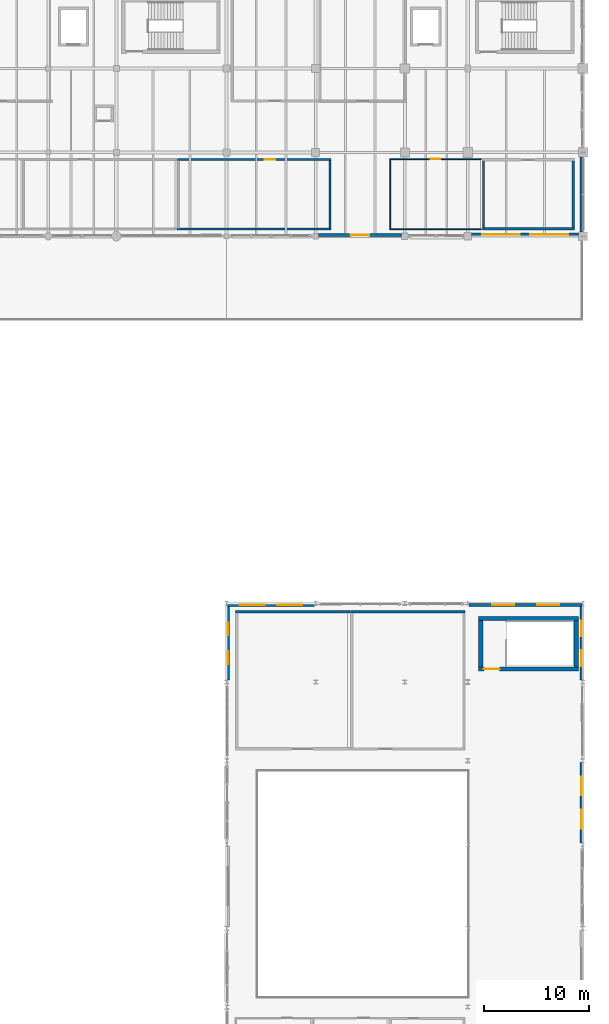
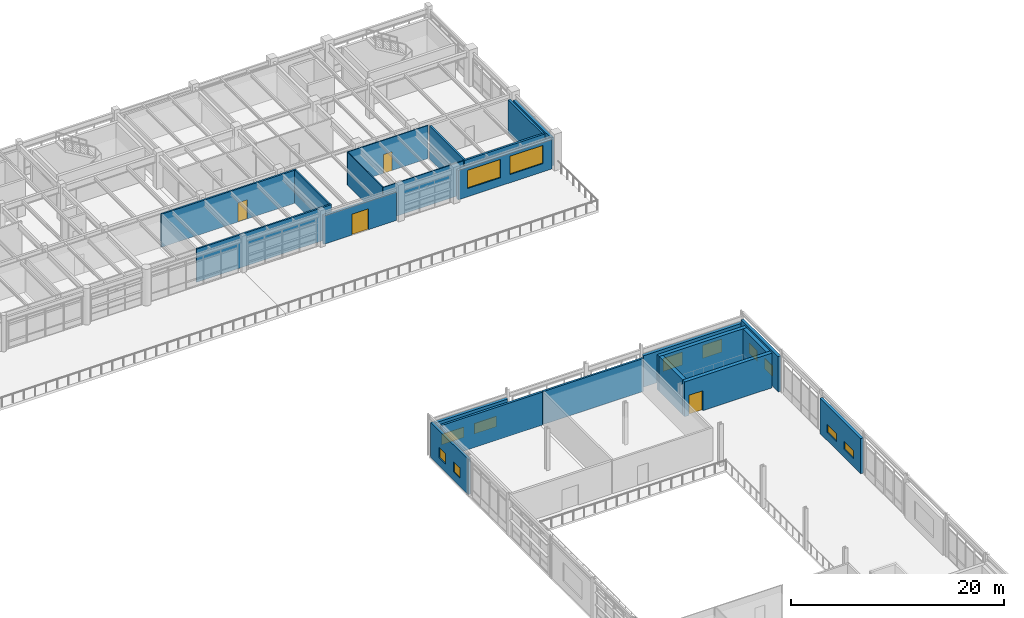
# One storey, part 50 of 56: 23 walls, 12 windows, 4 doors, 16 openings.
"""IFC4 building model written with IfcOpenShell, lengths in metres."""

from ifc_helpers import new_model, si_unit, direction, frame, frame_2d, origin, place, context, subcontext, project, spatial, rectangle, extrude, material, layer, layer_set, type_object, element, fill, save


model = new_model("IFC4")

# Units and contexts
model_context = context("Model", 3, precision=1e-05, world=origin(), true_north=direction((0.0, 1.0)))
body_context = subcontext(model_context, "Body", "Model", "MODEL_VIEW")
ifc_project = project(units=[si_unit("LENGTHUNIT", "METRE"), si_unit("AREAUNIT", "SQUARE_METRE"), si_unit("VOLUMEUNIT", "CUBIC_METRE"), si_unit("PLANEANGLEUNIT", "RADIAN"), si_unit("MASSUNIT", "GRAM", prefix="KILO"), si_unit("THERMODYNAMICTEMPERATUREUNIT", "KELVIN"), si_unit("POWERUNIT", "WATT")], contexts=[model_context])

# Site, building, storey
site_placement = place(None, origin())
site = spatial("IfcSite", under=ifc_project, at=site_placement, CompositionType="ELEMENT")
building_placement = place(site_placement, origin())
building = spatial("IfcBuilding", under=site, at=building_placement, Name="Tepalcoro Natatorium and Aquatics Centre", CompositionType="ELEMENT")
storey_placement = place(building_placement, frame((0.0, 0.0, 14.800048828125)))
storey = spatial("IfcBuildingStorey", under=building, at=storey_placement, Name="L03", CompositionType="ELEMENT", Elevation=14.800048828125)

# Wall, opening, door
ifc_material_1 = material(Name="Precast Concrete C45/55 (fc 45 MPa)", Category="concrete")
ifc_layer_1 = layer(ifc_material_1, 0.260009765625)
ifc_layer_set_1 = layer_set([ifc_layer_1], Name="Precast Concrete C45/55 (fc 45 MPa)")
wall_type_1 = type_object("IfcWallType", Name="WL_EXT_GABLE_260", PredefinedType="SOLIDWALL", material=ifc_layer_set_1)
wall_1_placement = place(storey_placement, frame((150.779052734375, 94.1298828125, 0.0), z_axis=(0.0, 0.0, 1.0), x_axis=(1.0, 0.0, 0.0)))
wall_1 = element("IfcWall", 1, at=wall_1_placement, inside=storey, type_object=wall_type_1, Name="V5 L03 S Volcanic Basalt Envelope Wall", PredefinedType="SOLIDWALL", context=body_context, shape_type="SweptSolid", body=[
    extrude(rectangle(XDim=7.891845703125, YDim=0.260009765625, at=frame_2d((3.94580078125, 0.0))), origin(), (0.0, 0.0, 1.0), 3.25390625),
])
opening_1_placement = place(wall_1_placement, frame((3.0458984375, 0.0, 0.0)))
opening_1 = element("IfcOpeningElement", 2, at=opening_1_placement, cuts=wall_1, Name="Opening ED5047", PredefinedType="OPENING", context=body_context, shape_type="SweptSolid", body=[
    extrude(rectangle(XDim=1.800048828125, YDim=2.39990234375, at=frame_2d((0.89990234375, 1.199951171875))), frame((0.0, 0.14208984375, 0.0), z_axis=(0.0, -1.0, 0.0), x_axis=(1.0, 0.0, 0.0)), (0.0, 0.0, 1.0), 0.283935546875),
])
ifc_material_2 = material(Name="Bronze-Anodised Extruded Aluminium Alloy EN AW-6063 T6", Category="aluminium")
door_type_1 = type_object("IfcDoorType", Name="DR_180x240_TERR", OperationType="NOTDEFINED", PredefinedType="DOOR", material=ifc_material_2)
door_1_placement = place(opening_1_placement, frame((1.800048828125, 0.0, 0.0), z_axis=(0.0, 0.0, 1.0), x_axis=(-1.0, 0.0, 0.0)))
door_1 = element("IfcDoor", 3, at=door_1_placement, inside=storey, type_object=door_type_1, Name="V5 L03 Spa Terrace Door SE", OperationType="DOUBLE_DOOR_SINGLE_SWING", OverallHeight=2.39990234375, OverallWidth=1.800048828125, PredefinedType="DOOR", context=body_context, shape_type="SweptSolid", body=[
    extrude(rectangle(XDim=1.800048828125, YDim=2.39990234375, at=frame_2d((0.89990234375, 1.199951171875))), frame((0.0, 0.02490234375, 0.0), z_axis=(0.0, -1.0, 0.0), x_axis=(1.0, 0.0, 0.0)), (0.0, 0.0, 1.0), 0.050048828125),
])
fill(opening_1, door_1)

# Wall, openings, windows
ifc_layer_2 = layer(ifc_material_1, 0.284912109375)
ifc_layer_set_2 = layer_set([ifc_layer_2], Name="Precast Concrete C45/55 (fc 45 MPa)")
wall_type_2 = type_object("IfcWallType", Name="WL_EXT_INSUL_280", PredefinedType="SOLIDWALL", material=ifc_layer_set_2)
wall_2_placement = place(storey_placement, frame((142.142578125, 51.66796875, 0.0), z_axis=(0.0, 0.0, 1.0), x_axis=(0.0, 1.0, 0.0)))
wall_2 = element("IfcWall", 4, at=wall_2_placement, inside=storey, type_object=wall_type_2, Name="V2 L03 W Volcanic Basalt Envelope Wall", PredefinedType="SOLIDWALL", context=body_context, shape_type="SweptSolid", body=[
    extrude(rectangle(XDim=7.02294921875, YDim=0.284912109375, at=frame_2d((3.511474609375, 0.0))), origin(), (0.0, 0.0, 1.0), 4.050048828125),
])
opening_2_placement = place(wall_2_placement, frame((1.541015625, 0.0, 0.949951171875)))
opening_2 = element("IfcOpeningElement", 5, at=opening_2_placement, cuts=wall_2, Name="Opening W0049A", PredefinedType="OPENING", context=body_context, shape_type="SweptSolid", body=[
    extrude(rectangle(XDim=1.199951171875, YDim=1.199951171875, at=frame_2d((0.60009765625, 0.60009765625))), frame((0.0, 0.154296875, 0.0), z_axis=(0.0, -1.0, 0.0), x_axis=(1.0, 0.0, 0.0)), (0.0, 0.0, 1.0), 0.308837890625),
])
opening_3_placement = place(wall_2_placement, frame((4.281982421875, 0.0, 0.949951171875)))
opening_3 = element("IfcOpeningElement", 6, at=opening_3_placement, cuts=wall_2, Name="Opening W0049B", PredefinedType="OPENING", context=body_context, shape_type="SweptSolid", body=[
    extrude(rectangle(XDim=1.199951171875, YDim=1.199951171875, at=frame_2d((0.60009765625, 0.60009765625))), frame((0.0, 0.154296875, 0.0), z_axis=(0.0, -1.0, 0.0), x_axis=(1.0, 0.0, 0.0)), (0.0, 0.0, 1.0), 0.308837890625),
])
ifc_material_3 = material(Name="Solar-Control Bronze Tempered Low-E Double Glazing", Category="glass")
window_type_1 = type_object("IfcWindowType", Name="WN_120x120", PartitioningType="SINGLE_PANEL", PredefinedType="WINDOW", material=ifc_material_3)
window_1_placement = place(opening_2_placement, origin())
window_1 = element("IfcWindow", 7, at=window_1_placement, inside=storey, type_object=window_type_1, Name="Exterior Thermal Window WN_120x120", OverallHeight=1.199951171875, OverallWidth=1.199951171875, PartitioningType="SINGLE_PANEL", PredefinedType="WINDOW", context=body_context, shape_type="SweptSolid", body=[
    extrude(rectangle(XDim=1.199951171875, YDim=1.199951171875, at=frame_2d((0.60009765625, 0.60009765625))), frame((0.0, 0.030029296875, 0.0), z_axis=(0.0, -1.0, 0.0), x_axis=(1.0, 0.0, 0.0)), (0.0, 0.0, 1.0), 0.06005859375),
])
fill(opening_2, window_1)
window_2_placement = place(opening_3_placement, origin())
window_2 = element("IfcWindow", 8, at=window_2_placement, inside=storey, type_object=window_type_1, Name="Exterior Thermal Window WN_120x120", OverallHeight=1.199951171875, OverallWidth=1.199951171875, PartitioningType="SINGLE_PANEL", PredefinedType="WINDOW", context=body_context, shape_type="SweptSolid", body=[
    extrude(rectangle(XDim=1.199951171875, YDim=1.199951171875, at=frame_2d((0.60009765625, 0.60009765625))), frame((0.0, 0.030029296875, 0.0), z_axis=(0.0, -1.0, 0.0), x_axis=(1.0, 0.0, 0.0)), (0.0, 0.0, 1.0), 0.06005859375),
])
fill(opening_3, window_2)

ifc_material_4 = material(Name="Jalisco Cantera Rosa Volcanic Tuff Ashlar Masonry", Category="masonry")
ifc_layer_3 = layer(ifc_material_4, 0.320068359375)
ifc_layer_set_3 = layer_set([ifc_layer_3], Name="Jalisco Cantera Rosa Volcanic Tuff Ashlar Masonry")
wall_type_3 = type_object("IfcWallType", Name="WL_EXT_STONE_320", PredefinedType="SOLIDWALL", material=ifc_layer_set_3)
wall_3_placement = place(storey_placement, frame((165.131103515625, 58.840087890625, 0.0), z_axis=(0.0, 0.0, 1.0), x_axis=(1.0, 0.0, 0.0)))
wall_3 = element("IfcWall", 9, at=wall_3_placement, inside=storey, type_object=wall_type_3, Name="V2 L03 N Volcanic Basalt Envelope Wall", PredefinedType="SOLIDWALL", context=body_context, shape_type="SweptSolid", body=[
    extrude(rectangle(XDim=10.762451171875, YDim=0.320068359375, at=frame_2d((5.38134765625, 0.0))), origin(), (0.0, 0.0, 1.0), 3.60791015625),
])
opening_4_placement = place(wall_3_placement, frame((2.1875, 0.0, 0.949951171875)))
opening_4 = element("IfcOpeningElement", 10, at=opening_4_placement, cuts=wall_3, Name="Opening W0046A", PredefinedType="OPENING", context=body_context, shape_type="SweptSolid", body=[
    extrude(rectangle(XDim=2.10009765625, YDim=1.5, at=frame_2d((1.050048828125, 0.75))), frame((0.0, 0.171875, 0.0), z_axis=(0.0, -1.0, 0.0), x_axis=(1.0, 0.0, 0.0)), (0.0, 0.0, 1.0), 0.343994140625),
])
opening_5_placement = place(wall_3_placement, frame((6.47509765625, 0.0, 0.949951171875)))
opening_5 = element("IfcOpeningElement", 11, at=opening_5_placement, cuts=wall_3, Name="Opening W0046B", PredefinedType="OPENING", context=body_context, shape_type="SweptSolid", body=[
    extrude(rectangle(XDim=2.10009765625, YDim=1.5, at=frame_2d((1.050048828125, 0.75))), frame((0.0, 0.171875, 0.0), z_axis=(0.0, -1.0, 0.0), x_axis=(1.0, 0.0, 0.0)), (0.0, 0.0, 1.0), 0.343994140625),
])
window_type_2 = type_object("IfcWindowType", Name="WN_210x150", PartitioningType="SINGLE_PANEL", PredefinedType="WINDOW", material=ifc_material_3)
window_3_placement = place(opening_4_placement, origin())
window_3 = element("IfcWindow", 12, at=window_3_placement, inside=storey, type_object=window_type_2, Name="Exterior Thermal Window WN_210x150", OverallHeight=1.5, OverallWidth=2.10009765625, PartitioningType="SINGLE_PANEL", PredefinedType="WINDOW", context=body_context, shape_type="SweptSolid", body=[
    extrude(rectangle(XDim=2.10009765625, YDim=1.5, at=frame_2d((1.050048828125, 0.75))), frame((0.0, 0.030029296875, 0.0), z_axis=(0.0, -1.0, 0.0), x_axis=(1.0, 0.0, 0.0)), (0.0, 0.0, 1.0), 0.06005859375),
])
fill(opening_4, window_3)
window_4_placement = place(opening_5_placement, origin())
window_4 = element("IfcWindow", 13, at=window_4_placement, inside=storey, type_object=window_type_2, Name="Exterior Thermal Window WN_210x150", OverallHeight=1.5, OverallWidth=2.10009765625, PartitioningType="SINGLE_PANEL", PredefinedType="WINDOW", context=body_context, shape_type="SweptSolid", body=[
    extrude(rectangle(XDim=2.10009765625, YDim=1.5, at=frame_2d((1.050048828125, 0.75))), frame((0.0, 0.030029296875, 0.0), z_axis=(0.0, -1.0, 0.0), x_axis=(1.0, 0.0, 0.0)), (0.0, 0.0, 1.0), 0.06005859375),
])
fill(opening_5, window_4)

ifc_layer_4 = layer(ifc_material_4, 0.304931640625)
ifc_layer_set_4 = layer_set([ifc_layer_4], Name="Jalisco Cantera Rosa Volcanic Tuff Ashlar Masonry")
wall_type_4 = type_object("IfcWallType", Name="WL_EXT_TERRACOTTA_300", PredefinedType="SOLIDWALL", material=ifc_layer_set_4)
wall_4_placement = place(storey_placement, frame((142.1064453125, 58.847412109375, 0.0), z_axis=(0.0, 0.0, 1.0), x_axis=(1.0, 0.0, 0.0)))
wall_4 = element("IfcWall", 14, at=wall_4_placement, inside=storey, type_object=wall_type_4, Name="V2 L03 N Volcanic Basalt Envelope Wall", PredefinedType="SOLIDWALL", context=body_context, shape_type="SweptSolid", body=[
    extrude(rectangle(XDim=8.262451171875, YDim=0.304931640625, at=frame_2d((4.13134765625, 0.0))), origin(), (0.0, 0.0, 1.0), 3.806884765625),
])
opening_6_placement = place(wall_4_placement, frame((1.154296875, 0.0, 0.949951171875)))
opening_6 = element("IfcOpeningElement", 15, at=opening_6_placement, cuts=wall_4, Name="Opening W0045A", PredefinedType="OPENING", context=body_context, shape_type="SweptSolid", body=[
    extrude(rectangle(XDim=2.39990234375, YDim=1.199951171875, at=frame_2d((1.199951171875, 0.60009765625))), frame((0.0, 0.16455078125, 0.0), z_axis=(0.0, -1.0, 0.0), x_axis=(1.0, 0.0, 0.0)), (0.0, 0.0, 1.0), 0.328857421875),
])
opening_7_placement = place(wall_4_placement, frame((4.708251953125, 0.0, 0.949951171875)))
opening_7 = element("IfcOpeningElement", 16, at=opening_7_placement, cuts=wall_4, Name="Opening W0045B", PredefinedType="OPENING", context=body_context, shape_type="SweptSolid", body=[
    extrude(rectangle(XDim=2.39990234375, YDim=1.199951171875, at=frame_2d((1.199951171875, 0.60009765625))), frame((0.0, 0.16455078125, 0.0), z_axis=(0.0, -1.0, 0.0), x_axis=(1.0, 0.0, 0.0)), (0.0, 0.0, 1.0), 0.328857421875),
])
window_type_3 = type_object("IfcWindowType", Name="WN_240x120", PartitioningType="SINGLE_PANEL", PredefinedType="WINDOW", material=ifc_material_3)
window_5_placement = place(opening_6_placement, origin())
window_5 = element("IfcWindow", 17, at=window_5_placement, inside=storey, type_object=window_type_3, Name="Exterior Thermal Window WN_240x120", OverallHeight=1.199951171875, OverallWidth=2.39990234375, PartitioningType="SINGLE_PANEL", PredefinedType="WINDOW", context=body_context, shape_type="SweptSolid", body=[
    extrude(rectangle(XDim=2.39990234375, YDim=1.199951171875, at=frame_2d((1.199951171875, 0.60009765625))), frame((0.0, 0.030029296875, 0.0), z_axis=(0.0, -1.0, 0.0), x_axis=(1.0, 0.0, 0.0)), (0.0, 0.0, 1.0), 0.06005859375),
])
fill(opening_6, window_5)
window_6_placement = place(opening_7_placement, origin())
window_6 = element("IfcWindow", 18, at=window_6_placement, inside=storey, type_object=window_type_3, Name="Exterior Thermal Window WN_240x120", OverallHeight=1.199951171875, OverallWidth=2.39990234375, PartitioningType="SINGLE_PANEL", PredefinedType="WINDOW", context=body_context, shape_type="SweptSolid", body=[
    extrude(rectangle(XDim=2.39990234375, YDim=1.199951171875, at=frame_2d((1.199951171875, 0.60009765625))), frame((0.0, 0.030029296875, 0.0), z_axis=(0.0, -1.0, 0.0), x_axis=(1.0, 0.0, 0.0)), (0.0, 0.0, 1.0), 0.06005859375),
])
fill(opening_7, window_6)

wall_5_placement = place(storey_placement, frame((175.847412109375, 36.157470703125, 0.0), z_axis=(0.0, 0.0, 1.0), x_axis=(0.0, 1.0, 0.0)))
wall_5 = element("IfcWall", 19, at=wall_5_placement, inside=storey, type_object=wall_type_4, Name="V2 L03 E Volcanic Basalt Envelope Wall", PredefinedType="SOLIDWALL", context=body_context, shape_type="SweptSolid", body=[
    extrude(rectangle(XDim=7.680908203125, YDim=0.304931640625, at=frame_2d((3.84033203125, 0.0))), origin(), (0.0, 0.0, 1.0), 4.050048828125),
])
opening_8_placement = place(wall_5_placement, frame((1.3603515625, 0.0, 0.949951171875)))
opening_8 = element("IfcOpeningElement", 20, at=opening_8_placement, cuts=wall_5, Name="Opening W0052A", PredefinedType="OPENING", context=body_context, shape_type="SweptSolid", body=[
    extrude(rectangle(XDim=1.800048828125, YDim=0.89990234375, at=frame_2d((0.89990234375, 0.449951171875))), frame((0.0, 0.16455078125, 0.0), z_axis=(0.0, -1.0, 0.0), x_axis=(1.0, 0.0, 0.0)), (0.0, 0.0, 1.0), 0.328857421875),
])
opening_9_placement = place(wall_5_placement, frame((4.520751953125, 0.0, 0.949951171875)))
opening_9 = element("IfcOpeningElement", 21, at=opening_9_placement, cuts=wall_5, Name="Opening W0052B", PredefinedType="OPENING", context=body_context, shape_type="SweptSolid", body=[
    extrude(rectangle(XDim=1.800048828125, YDim=0.89990234375, at=frame_2d((0.89990234375, 0.449951171875))), frame((0.0, 0.16455078125, 0.0), z_axis=(0.0, -1.0, 0.0), x_axis=(1.0, 0.0, 0.0)), (0.0, 0.0, 1.0), 0.328857421875),
])
window_type_4 = type_object("IfcWindowType", Name="WN_180x090_CLER", PartitioningType="SINGLE_PANEL", PredefinedType="WINDOW", material=ifc_material_3)
window_7_placement = place(opening_8_placement, origin())
window_7 = element("IfcWindow", 22, at=window_7_placement, inside=storey, type_object=window_type_4, Name="Exterior Thermal Window WN_180x090_CLER", OverallHeight=0.89990234375, OverallWidth=1.800048828125, PartitioningType="SINGLE_PANEL", PredefinedType="WINDOW", context=body_context, shape_type="SweptSolid", body=[
    extrude(rectangle(XDim=1.800048828125, YDim=0.89990234375, at=frame_2d((0.89990234375, 0.449951171875))), frame((0.0, 0.030029296875, 0.0), z_axis=(0.0, -1.0, 0.0), x_axis=(1.0, 0.0, 0.0)), (0.0, 0.0, 1.0), 0.06005859375),
])
fill(opening_8, window_7)
window_8_placement = place(opening_9_placement, origin())
window_8 = element("IfcWindow", 23, at=window_8_placement, inside=storey, type_object=window_type_4, Name="Exterior Thermal Window WN_180x090_CLER", OverallHeight=0.89990234375, OverallWidth=1.800048828125, PartitioningType="SINGLE_PANEL", PredefinedType="WINDOW", context=body_context, shape_type="SweptSolid", body=[
    extrude(rectangle(XDim=1.800048828125, YDim=0.89990234375, at=frame_2d((0.89990234375, 0.449951171875))), frame((0.0, 0.030029296875, 0.0), z_axis=(0.0, -1.0, 0.0), x_axis=(1.0, 0.0, 0.0)), (0.0, 0.0, 1.0), 0.06005859375),
])
fill(opening_9, window_8)

wall_6_placement = place(storey_placement, frame((175.847412109375, 51.66796875, 0.0), z_axis=(0.0, 0.0, 1.0), x_axis=(0.0, 1.0, 0.0)))
wall_6 = element("IfcWall", 24, at=wall_6_placement, inside=storey, type_object=wall_type_4, Name="V2 L03 E Volcanic Basalt Envelope Wall", PredefinedType="SOLIDWALL", context=body_context, shape_type="SweptSolid", body=[
    extrude(rectangle(XDim=7.008056640625, YDim=0.304931640625, at=frame_2d((3.50390625, 0.0))), origin(), (0.0, 0.0, 1.0), 4.050048828125),
])
opening_10_placement = place(wall_6_placement, frame((1.3359375, 0.0, 0.949951171875)))
opening_10 = element("IfcOpeningElement", 25, at=opening_10_placement, cuts=wall_6, Name="Opening W0053A", PredefinedType="OPENING", context=body_context, shape_type="SweptSolid", body=[
    extrude(rectangle(XDim=1.5, YDim=1.199951171875, at=frame_2d((0.75, 0.60009765625))), frame((0.0, 0.16455078125, 0.0), z_axis=(0.0, -1.0, 0.0), x_axis=(1.0, 0.0, 0.0)), (0.0, 0.0, 1.0), 0.328857421875),
])
opening_11_placement = place(wall_6_placement, frame((4.172119140625, 0.0, 0.949951171875)))
opening_11 = element("IfcOpeningElement", 26, at=opening_11_placement, cuts=wall_6, Name="Opening W0053B", PredefinedType="OPENING", context=body_context, shape_type="SweptSolid", body=[
    extrude(rectangle(XDim=1.5, YDim=1.199951171875, at=frame_2d((0.75, 0.60009765625))), frame((0.0, 0.16455078125, 0.0), z_axis=(0.0, -1.0, 0.0), x_axis=(1.0, 0.0, 0.0)), (0.0, 0.0, 1.0), 0.328857421875),
])
window_type_5 = type_object("IfcWindowType", Name="WN_150x120", PartitioningType="SINGLE_PANEL", PredefinedType="WINDOW", material=ifc_material_3)
window_9_placement = place(opening_10_placement, origin())
window_9 = element("IfcWindow", 27, at=window_9_placement, inside=storey, type_object=window_type_5, Name="Exterior Thermal Window WN_150x120", OverallHeight=1.199951171875, OverallWidth=1.5, PartitioningType="SINGLE_PANEL", PredefinedType="WINDOW", context=body_context, shape_type="SweptSolid", body=[
    extrude(rectangle(XDim=1.5, YDim=1.199951171875, at=frame_2d((0.75, 0.60009765625))), frame((0.0, 0.030029296875, 0.0), z_axis=(0.0, -1.0, 0.0), x_axis=(1.0, 0.0, 0.0)), (0.0, 0.0, 1.0), 0.06005859375),
])
fill(opening_10, window_9)
window_10_placement = place(opening_11_placement, origin())
window_10 = element("IfcWindow", 28, at=window_10_placement, inside=storey, type_object=window_type_5, Name="Exterior Thermal Window WN_150x120", OverallHeight=1.199951171875, OverallWidth=1.5, PartitioningType="SINGLE_PANEL", PredefinedType="WINDOW", context=body_context, shape_type="SweptSolid", body=[
    extrude(rectangle(XDim=1.5, YDim=1.199951171875, at=frame_2d((0.75, 0.60009765625))), frame((0.0, 0.030029296875, 0.0), z_axis=(0.0, -1.0, 0.0), x_axis=(1.0, 0.0, 0.0)), (0.0, 0.0, 1.0), 0.06005859375),
])
fill(opening_11, window_10)

wall_7_placement = place(storey_placement, frame((165.37890625, 94.152587890625, 0.0), z_axis=(0.0, 0.0, 1.0), x_axis=(1.0, 0.0, 0.0)))
wall_7 = element("IfcWall", 29, at=wall_7_placement, inside=storey, type_object=wall_type_4, Name="V5 L03 S Volcanic Basalt Envelope Wall", PredefinedType="SOLIDWALL", context=body_context, shape_type="SweptSolid", body=[
    extrude(rectangle(XDim=10.192138671875, YDim=0.304931640625, at=frame_2d((5.09619140625, 0.0))), origin(), (0.0, 0.0, 1.0), 3.376953125),
])
opening_12_placement = place(wall_7_placement, frame((0.997314453125, 0.0, 0.949951171875)))
opening_12 = element("IfcOpeningElement", 30, at=opening_12_placement, cuts=wall_7, Name="Opening W0106A", PredefinedType="OPENING", context=body_context, shape_type="SweptSolid", body=[
    extrude(rectangle(XDim=3.60009765625, YDim=2.10009765625, at=frame_2d((1.800048828125, 1.050048828125))), frame((0.0, 0.16455078125, 0.0), z_axis=(0.0, -1.0, 0.0), x_axis=(1.0, 0.0, 0.0)), (0.0, 0.0, 1.0), 0.328857421875),
])
opening_13_placement = place(wall_7_placement, frame((5.5947265625, 0.0, 0.949951171875)))
opening_13 = element("IfcOpeningElement", 31, at=opening_13_placement, cuts=wall_7, Name="Opening W0106B", PredefinedType="OPENING", context=body_context, shape_type="SweptSolid", body=[
    extrude(rectangle(XDim=3.60009765625, YDim=2.10009765625, at=frame_2d((1.800048828125, 1.050048828125))), frame((0.0, 0.16455078125, 0.0), z_axis=(0.0, -1.0, 0.0), x_axis=(1.0, 0.0, 0.0)), (0.0, 0.0, 1.0), 0.328857421875),
])
window_type_6 = type_object("IfcWindowType", Name="WN_360x210", PartitioningType="SINGLE_PANEL", PredefinedType="WINDOW", material=ifc_material_3)
window_11_placement = place(opening_12_placement, origin())
window_11 = element("IfcWindow", 32, at=window_11_placement, inside=storey, type_object=window_type_6, Name="Exterior Thermal Window WN_360x210", OverallHeight=2.10009765625, OverallWidth=3.60009765625, PartitioningType="SINGLE_PANEL", PredefinedType="WINDOW", context=body_context, shape_type="SweptSolid", body=[
    extrude(rectangle(XDim=3.60009765625, YDim=2.10009765625, at=frame_2d((1.800048828125, 1.050048828125))), frame((0.0, 0.030029296875, 0.0), z_axis=(0.0, -1.0, 0.0), x_axis=(1.0, 0.0, 0.0)), (0.0, 0.0, 1.0), 0.06005859375),
])
fill(opening_12, window_11)
window_12_placement = place(opening_13_placement, origin())
window_12 = element("IfcWindow", 33, at=window_12_placement, inside=storey, type_object=window_type_6, Name="Exterior Thermal Window WN_360x210", OverallHeight=2.10009765625, OverallWidth=3.60009765625, PartitioningType="SINGLE_PANEL", PredefinedType="WINDOW", context=body_context, shape_type="SweptSolid", body=[
    extrude(rectangle(XDim=3.60009765625, YDim=2.10009765625, at=frame_2d((1.800048828125, 1.050048828125))), frame((0.0, 0.030029296875, 0.0), z_axis=(0.0, -1.0, 0.0), x_axis=(1.0, 0.0, 0.0)), (0.0, 0.0, 1.0), 0.06005859375),
])
fill(opening_13, window_12)

# Walls
wall_8_placement = place(storey_placement, frame((175.847412109375, 94.428955078125, 0.0), z_axis=(0.0, 0.0, 1.0), x_axis=(0.0, 1.0, 0.0)))
element("IfcWall", 34, at=wall_8_placement, inside=storey, type_object=wall_type_4, Name="V5 L03 E Volcanic Basalt Envelope Wall", PredefinedType="SOLIDWALL", context=body_context, shape_type="SweptSolid", body=[
    extrude(rectangle(XDim=7.116943359375, YDim=0.304931640625, at=frame_2d((3.55859375, 0.0))), origin(), (0.0, 0.0, 1.0), 3.25390625),
])
ifc_material_5 = material(Name="Moisture-Resistant Acoustic Gypsum Drywall on Cold-Formed Metal Studs")
ifc_layer_5 = layer(ifc_material_5, 0.10009765625)
ifc_layer_set_5 = layer_set([ifc_layer_5], Name="Moisture-Resistant Acoustic Gypsum Drywall on Cold-Formed Metal Studs")
wall_type_5 = type_object("IfcWallType", Name="WL_PART_100", PredefinedType="PARTITIONING", material=ifc_layer_set_5)
wall_9_placement = place(storey_placement, frame((157.5400390625, 94.64990234375, 0.0), z_axis=(0.0, 0.0, 1.0), x_axis=(1.0, 0.0, 0.0)))
element("IfcWall", 35, at=wall_9_placement, inside=storey, type_object=wall_type_5, Name="Sports Nutrition Teaching Kitchen & Dining Studio Partition S", PredefinedType="PARTITIONING", context=body_context, shape_type="SweptSolid", body=[
    extrude(rectangle(XDim=8.77001953125, YDim=0.10009765625, at=frame_2d((4.385009765625, 0.0))), origin(), (0.0, 0.0, 1.0), 3.804931640625),
])

# Wall, opening, door
wall_10_placement = place(storey_placement, frame((157.5400390625, 101.35009765625, 0.0), z_axis=(0.0, 0.0, 1.0), x_axis=(1.0, 0.0, 0.0)))
wall_10 = element("IfcWall", 36, at=wall_10_placement, inside=storey, type_object=wall_type_5, Name="Sports Nutrition Teaching Kitchen & Dining Studio Partition N", PredefinedType="PARTITIONING", context=body_context, shape_type="SweptSolid", body=[
    extrude(rectangle(XDim=8.77001953125, YDim=0.10009765625, at=frame_2d((4.385009765625, 0.0))), origin(), (0.0, 0.0, 1.0), 3.804931640625),
])
opening_14_placement = place(wall_10_placement, frame((3.909912109375, 0.0, 0.0)))
opening_14 = element("IfcOpeningElement", 37, at=opening_14_placement, cuts=wall_10, Name="Opening D0185", PredefinedType="OPENING", context=body_context, shape_type="SweptSolid", body=[
    extrude(rectangle(XDim=0.949951171875, YDim=2.14990234375, at=frame_2d((0.47509765625, 1.074951171875))), frame((0.0, 0.06201171875, 0.0), z_axis=(0.0, -1.0, 0.0), x_axis=(1.0, 0.0, 0.0)), (0.0, 0.0, 1.0), 0.1240234375),
])
ifc_material_6 = material(Name="Solid-Core Moisture-Sealed Oak Timber Leaf in Aluminium Frame", Category="wood")
door_type_2 = type_object("IfcDoorType", Name="DR_095x215_OFFICE", OperationType="NOTDEFINED", PredefinedType="DOOR", material=ifc_material_6)
door_2_placement = place(opening_14_placement, frame((0.949951171875, 0.0, 0.0), z_axis=(0.0, 0.0, 1.0), x_axis=(-1.0, 0.0, 0.0)))
door_2 = element("IfcDoor", 38, at=door_2_placement, inside=storey, type_object=door_type_2, Name="Sports Nutrition Teaching Kitchen & Dining Studio Door", OperationType="SINGLE_SWING_RIGHT", OverallHeight=2.14990234375, OverallWidth=0.949951171875, PredefinedType="DOOR", context=body_context, shape_type="SweptSolid", body=[
    extrude(rectangle(XDim=0.949951171875, YDim=2.14990234375, at=frame_2d((0.47509765625, 1.074951171875))), frame((0.0, 0.02490234375, 0.0), z_axis=(0.0, -1.0, 0.0), x_axis=(1.0, 0.0, 0.0)), (0.0, 0.0, 1.0), 0.050048828125),
])
fill(opening_14, door_2)

# Walls
wall_11_placement = place(storey_placement, frame((157.590087890625, 94.699951171875, 0.0), z_axis=(0.0, 0.0, 1.0), x_axis=(0.0, 1.0, 0.0)))
element("IfcWall", 39, at=wall_11_placement, inside=storey, type_object=wall_type_5, Name="Sports Nutrition Teaching Kitchen & Dining Studio Partition W", PredefinedType="PARTITIONING", context=body_context, shape_type="SweptSolid", body=[
    extrude(rectangle(XDim=6.60009765625, YDim=0.10009765625, at=frame_2d((3.300048828125, 0.0))), origin(), (0.0, 0.0, 1.0), 3.804931640625),
])
ifc_layer_6 = layer(ifc_material_5, 0.179931640625)
ifc_layer_set_6 = layer_set([ifc_layer_6], Name="Moisture-Resistant Acoustic Gypsum Drywall on Cold-Formed Metal Studs")
wall_type_6 = type_object("IfcWallType", Name="WL_PART_180_AC", PredefinedType="PARTITIONING", material=ifc_layer_set_6)
wall_12_placement = place(storey_placement, frame((137.306884765625, 94.68994140625, 0.0), z_axis=(0.0, 0.0, 1.0), x_axis=(1.0, 0.0, 0.0)))
element("IfcWall", 40, at=wall_12_placement, inside=storey, type_object=wall_type_6, Name="Swim-Flume Fluid Dynamics & Drag Research Lab Partition S", PredefinedType="PARTITIONING", context=body_context, shape_type="SweptSolid", body=[
    extrude(rectangle(XDim=14.653076171875, YDim=0.179931640625, at=frame_2d((7.32666015625, 0.0))), origin(), (0.0, 0.0, 1.0), 3.804931640625),
])

# Wall, opening, door
wall_13_placement = place(storey_placement, frame((137.306884765625, 101.31005859375, 0.0), z_axis=(0.0, 0.0, 1.0), x_axis=(1.0, 0.0, 0.0)))
wall_13 = element("IfcWall", 41, at=wall_13_placement, inside=storey, type_object=wall_type_6, Name="Swim-Flume Fluid Dynamics & Drag Research Lab Partition N", PredefinedType="PARTITIONING", context=body_context, shape_type="SweptSolid", body=[
    extrude(rectangle(XDim=14.653076171875, YDim=0.179931640625, at=frame_2d((7.32666015625, 0.0))), origin(), (0.0, 0.0, 1.0), 3.804931640625),
])
opening_15_placement = place(wall_13_placement, frame((8.3330078125, 0.0, 0.0)))
opening_15 = element("IfcOpeningElement", 42, at=opening_15_placement, cuts=wall_13, Name="Opening D0184", PredefinedType="OPENING", context=body_context, shape_type="SweptSolid", body=[
    extrude(rectangle(XDim=1.0, YDim=2.199951171875, at=frame_2d((0.5, 1.10009765625))), frame((0.0, 0.10205078125, 0.0), z_axis=(0.0, -1.0, 0.0), x_axis=(1.0, 0.0, 0.0)), (0.0, 0.0, 1.0), 0.203857421875),
])
ifc_material_7 = material(Name="Galvanised Steel Insulated Acoustic Fire Door Assembly", Category="steel")
door_type_3 = type_object("IfcDoorType", Name="DR_100x220_FD60", OperationType="NOTDEFINED", PredefinedType="DOOR", material=ifc_material_7)
door_3_placement = place(opening_15_placement, frame((1.0, 0.0, 0.0), z_axis=(0.0, 0.0, 1.0), x_axis=(-1.0, 0.0, 0.0)))
door_3 = element("IfcDoor", 43, at=door_3_placement, inside=storey, type_object=door_type_3, Name="Swim-Flume Fluid Dynamics & Drag Research Lab Door", OperationType="SINGLE_SWING_LEFT", OverallHeight=2.199951171875, OverallWidth=1.0, PredefinedType="DOOR", context=body_context, shape_type="SweptSolid", body=[
    extrude(rectangle(XDim=1.0, YDim=2.199951171875, at=frame_2d((0.5, 1.10009765625))), frame((0.0, 0.02490234375, 0.0), z_axis=(0.0, -1.0, 0.0), x_axis=(1.0, 0.0, 0.0)), (0.0, 0.0, 1.0), 0.050048828125),
])
fill(opening_15, door_3)

# Walls
wall_14_placement = place(storey_placement, frame((151.8701171875, 94.780029296875, 0.0), z_axis=(0.0, 0.0, 1.0), x_axis=(0.0, 1.0, 0.0)))
element("IfcWall", 44, at=wall_14_placement, inside=storey, type_object=wall_type_6, Name="Swim-Flume Fluid Dynamics & Drag Research Lab Partition E", PredefinedType="PARTITIONING", context=body_context, shape_type="SweptSolid", body=[
    extrude(rectangle(XDim=6.43994140625, YDim=0.179931640625, at=frame_2d((3.219970703125, 0.0))), origin(), (0.0, 0.0, 1.0), 3.804931640625),
])
ifc_material_8 = material(Name="Ceramic-Tiled Moisture-Resistant Masonry Blockwork", Category="masonry")
ifc_layer_7 = layer(ifc_material_8, 0.219970703125)
ifc_layer_set_7 = layer_set([ifc_layer_7], Name="Ceramic-Tiled Moisture-Resistant Masonry Blockwork")
wall_type_7 = type_object("IfcWallType", Name="WL_PLUMB_220", PredefinedType="PLUMBINGWALL", material=ifc_layer_set_7)
wall_15_placement = place(storey_placement, frame((166.389892578125, 94.7099609375, 0.0), z_axis=(0.0, 0.0, 1.0), x_axis=(1.0, 0.0, 0.0)))
element("IfcWall", 45, at=wall_15_placement, inside=storey, type_object=wall_type_7, Name="L03 Sports Science Male/Female & Accessible WC Partition S", PredefinedType="PLUMBINGWALL", context=body_context, shape_type="SweptSolid", body=[
    extrude(rectangle(XDim=8.77001953125, YDim=0.219970703125, at=frame_2d((4.385009765625, 0.0))), origin(), (0.0, 0.0, 1.0), 3.804931640625),
])
for number, where, z_axis, x_axis, name in (
    (46, (175.050048828125, 94.820068359375, 0.0), (0.0, 0.0, 1.0), (0.0, 1.0, 0.0), "L03 Sports Science Male/Female & Accessible WC Partition E"),
    (47, (166.5, 94.820068359375, 0.0), (0.0, 0.0, 1.0), (0.0, 1.0, 0.0), "L03 Sports Science Male/Female & Accessible WC Partition W"),
):
    element("IfcWall", number, at=place(storey_placement, frame(where, z_axis=z_axis, x_axis=x_axis)), inside=storey, type_object=wall_type_7, Name=name, PredefinedType="PLUMBINGWALL", context=body_context, shape_type="SweptSolid", body=[
        extrude(rectangle(XDim=6.35986328125, YDim=0.219970703125, at=frame_2d((3.179931640625, 0.0))), origin(), (0.0, 0.0, 1.0), 3.804931640625),
    ])

# Wall, opening, door
ifc_material_9 = material(Name="Concrete C40/50 (fc 40 MPa)", Category="concrete")
ifc_layer_8 = layer(ifc_material_9, 0.39990234375)
ifc_layer_set_8 = layer_set([ifc_layer_8], Name="Concrete C40/50 (fc 40 MPa)")
wall_type_8 = type_object("IfcWallType", Name="WL_SHEAR_400", PredefinedType="SHEAR", material=ifc_layer_set_8)
wall_16_placement = place(storey_placement, frame((166.050048828125, 52.75, 0.0), z_axis=(0.0, 0.0, 1.0), x_axis=(1.0, 0.0, 0.0)))
wall_16 = element("IfcWall", 48, at=wall_16_placement, inside=storey, type_object=wall_type_8, Name="ST04 Core Shear Wall S L03", PredefinedType="SHEAR", context=body_context, shape_type="SweptSolid", body=[
    extrude(rectangle(XDim=9.5, YDim=0.39990234375, at=frame_2d((4.75, 0.0))), origin(), (0.0, 0.0, 1.0), 4.0),
])
opening_16_placement = place(wall_16_placement, frame((0.47998046875, 0.0, 0.0)))
opening_16 = element("IfcOpeningElement", 49, at=opening_16_placement, cuts=wall_16, Name="Opening D0020", PredefinedType="OPENING", context=body_context, shape_type="SweptSolid", body=[
    extrude(rectangle(XDim=1.5, YDim=2.300048828125, at=frame_2d((0.75, 1.14990234375))), frame((0.0, 0.2119140625, 0.0), z_axis=(0.0, -1.0, 0.0), x_axis=(1.0, 0.0, 0.0)), (0.0, 0.0, 1.0), 0.423828125),
])
door_type_4 = type_object("IfcDoorType", Name="DR_150x230_FD60", OperationType="NOTDEFINED", PredefinedType="DOOR", material=ifc_material_7)
door_4_placement = place(opening_16_placement, origin())
door_4 = element("IfcDoor", 50, at=door_4_placement, inside=storey, type_object=door_type_4, Name="ST04 Fire Stair Door (L03)", OperationType="DOUBLE_DOOR_SINGLE_SWING", OverallHeight=2.300048828125, OverallWidth=1.5, PredefinedType="DOOR", context=body_context, shape_type="SweptSolid", body=[
    extrude(rectangle(XDim=1.5, YDim=2.300048828125, at=frame_2d((0.75, 1.14990234375))), frame((0.0, 0.02490234375, 0.0), z_axis=(0.0, -1.0, 0.0), x_axis=(1.0, 0.0, 0.0)), (0.0, 0.0, 1.0), 0.050048828125),
])
fill(opening_16, door_4)

# Walls
wall_17_placement = place(storey_placement, frame((166.050048828125, 57.550048828125, 0.0), z_axis=(0.0, 0.0, 1.0), x_axis=(1.0, 0.0, 0.0)))
element("IfcWall", 51, at=wall_17_placement, inside=storey, type_object=wall_type_8, Name="ST04 Core Shear Wall N L03", PredefinedType="SHEAR", context=body_context, shape_type="SweptSolid", body=[
    extrude(rectangle(XDim=9.5, YDim=0.39990234375, at=frame_2d((4.75, 0.0))), origin(), (0.0, 0.0, 1.0), 4.0),
])
for number, where, z_axis, x_axis, name in (
    (52, (166.25, 52.949951171875, 0.0), (0.0, 0.0, 1.0), (0.0, 1.0, 0.0), "ST04 Core Shear Wall W L03"),
    (53, (175.35009765625, 52.949951171875, 0.0), (0.0, 0.0, 1.0), (0.0, 1.0, 0.0), "ST04 Core Shear Wall E L03"),
):
    element("IfcWall", number, at=place(storey_placement, frame(where, z_axis=z_axis, x_axis=x_axis)), inside=storey, type_object=wall_type_8, Name=name, PredefinedType="SHEAR", context=body_context, shape_type="SweptSolid", body=[
        extrude(rectangle(XDim=4.400146484375, YDim=0.39990234375, at=frame_2d((2.2001953125, 0.0))), origin(), (0.0, 0.0, 1.0), 4.0),
    ])
ifc_material_10 = material(Name="Concrete C35/45 (fc 35 MPa)", Category="concrete")
ifc_layer_9 = layer(ifc_material_10, 0.205078125)
ifc_layer_set_9 = layer_set([ifc_layer_9], Name="Concrete C35/45 (fc 35 MPa)")
wall_type_9 = type_object("IfcWallType", Name="WL_SOLID_200_FR120", PredefinedType="SOLIDWALL", material=ifc_layer_set_9)
wall_18_placement = place(storey_placement, frame((153.840087890625, 58.197509765625, 0.0), z_axis=(0.0, 0.0, 1.0), x_axis=(1.0, 0.0, 0.0)))
element("IfcWall", 54, at=wall_18_placement, inside=storey, type_object=wall_type_9, Name="Overhead Scoreboard & Rigging Winch Store Partition N", PredefinedType="SOLIDWALL", context=body_context, shape_type="SweptSolid", body=[
    extrude(rectangle(XDim=10.919921875, YDim=0.205078125, at=frame_2d((5.4599609375, 0.0))), origin(), (0.0, 0.0, 1.0), 3.784912109375),
])
ifc_layer_10 = layer(ifc_material_10, 0.2451171875)
ifc_layer_set_10 = layer_set([ifc_layer_10], Name="Concrete C35/45 (fc 35 MPa)")
wall_type_10 = type_object("IfcWallType", Name="WL_SOLID_240_FR120", PredefinedType="SOLIDWALL", material=ifc_layer_set_10)
wall_19_placement = place(storey_placement, frame((142.840087890625, 58.177490234375, 0.0), z_axis=(0.0, 0.0, 1.0), x_axis=(1.0, 0.0, 0.0)))
element("IfcWall", 55, at=wall_19_placement, inside=storey, type_object=wall_type_10, Name="Diving Hall Smoke-Extract & Heat-Recovery AHU Room Partition N", PredefinedType="SOLIDWALL", context=body_context, shape_type="SweptSolid", body=[
    extrude(rectangle(XDim=10.919921875, YDim=0.2451171875, at=frame_2d((5.4599609375, 0.0))), origin(), (0.0, 0.0, 1.0), 3.784912109375),
])

save(model, "model.ifc")
